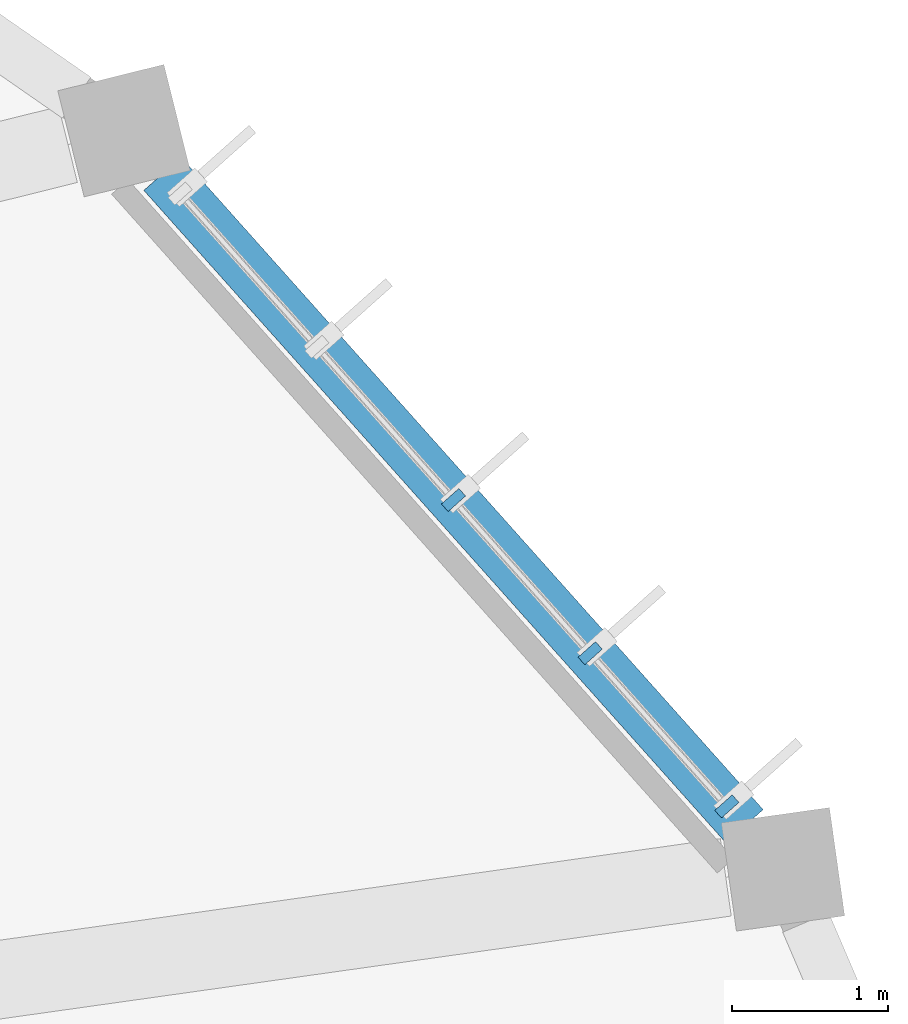
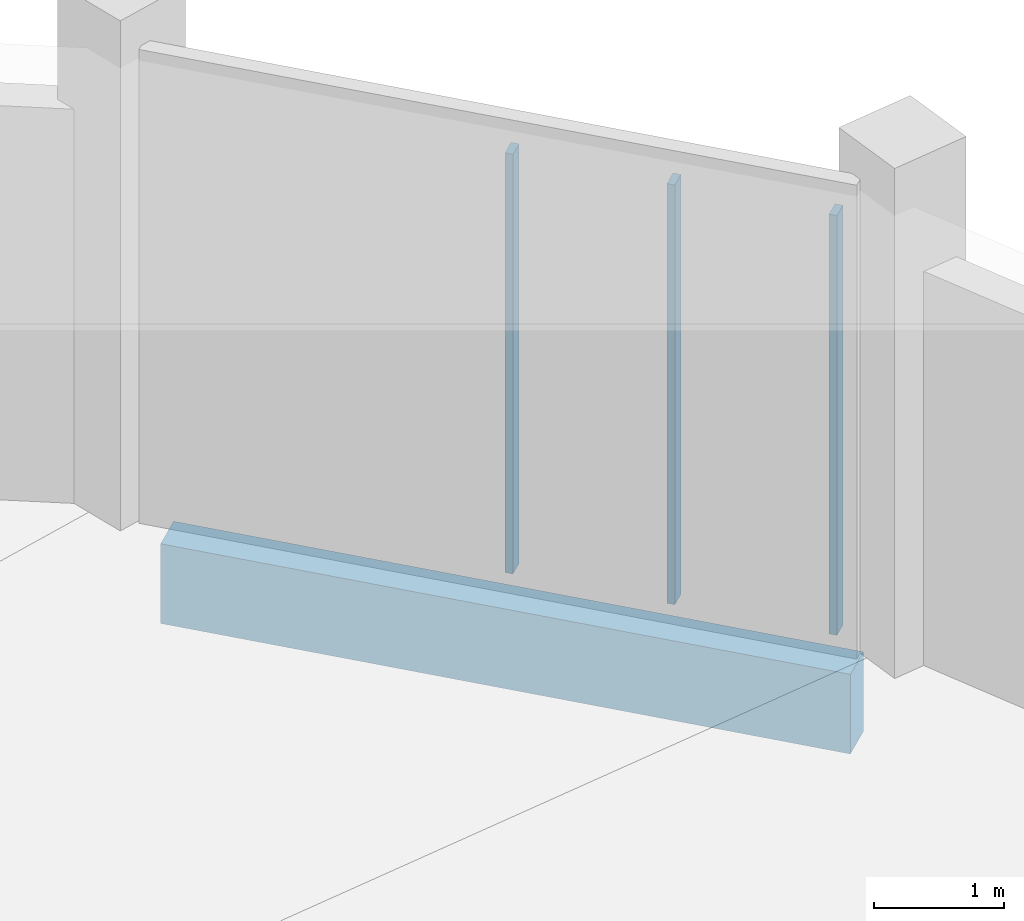
# One storey, part 69 of 179: 3 members, 1 beam, 1 element without a shape of its own.
"""IFC4 building model written with IfcOpenShell, lengths in metres."""

from ifc_helpers import new_model, si_unit, direction, frame, origin, origin_2d, place, context, subcontext, project, spatial, rectangle, extrude, material, layer, layer_set, material_profile, profile_set, type_object, element, aggregate, save


model = new_model("IFC4")

# Units and contexts
model_context = context("Model", 3, precision=1e-05, world=origin(), true_north=direction((0.0, 1.0)))
body_context = subcontext(model_context, "Body", "Model", "MODEL_VIEW")
ifc_project = project(units=[si_unit("LENGTHUNIT", "METRE"), si_unit("AREAUNIT", "SQUARE_METRE"), si_unit("VOLUMEUNIT", "CUBIC_METRE"), si_unit("PLANEANGLEUNIT", "RADIAN"), si_unit("MASSUNIT", "GRAM", prefix="KILO")], contexts=[model_context])

# Site, building, storey
site_placement = place(None, origin())
site = spatial("IfcSite", under=ifc_project, at=site_placement, CompositionType="ELEMENT")
building_placement = place(site_placement, origin())
building = spatial("IfcBuilding", under=site, at=building_placement, Name="Corvandel Quay Wholesale Market", CompositionType="ELEMENT")
storey_placement = place(building_placement, frame((0.0, 0.0, 6.0)))
storey = spatial("IfcBuildingStorey", under=building, at=storey_placement, Name="L01", CompositionType="ELEMENT", Elevation=6.0)

# Curtain wall, members
ifc_material_1 = material(Name="Bronze anodised aluminium and low-E insulated glazing", Category="aluminium")
ifc_layer = layer(ifc_material_1, 0.18603515625)
ifc_layer_set = layer_set([ifc_layer], Name="Bronze anodised aluminium and low-E insulated glazing")
curtain_wall_type = type_object("IfcCurtainWallType", Name="Stick Curtain Wall System CW08 H3720", PredefinedType="NOTDEFINED", material=ifc_layer_set)
curtain_wall_placement = place(storey_placement, origin())
curtain_wall = element("IfcCurtainWall", 1, at=curtain_wall_placement, inside=storey, type_object=curtain_wall_type, Name="Curtain Wall CW-0091", PredefinedType="NOTDEFINED")
ifc_material_2 = material(Name="Anodised aluminium 6063-T6", Category="aluminium")
ifc_material_profile_1 = material_profile(ifc_material_2, rectangle(XDim=0.06494140625, YDim=0.14990234375, at=origin_2d()), Name="ALU-MUL-65x150")
ifc_profile_set_1 = profile_set([ifc_material_profile_1], Name="Anodised aluminium 6063-T6")
member_type = type_object("IfcMemberType", Name="Curtain Wall Mullion ML02 65x150", PredefinedType="MULLION", material=ifc_profile_set_1)
member_1_placement = place(storey_placement, frame((167.488525390625, 123.987060546875, 0.0), z_axis=(0.0, 0.0, 1.0), x_axis=(-0.665621202286, 0.746289766155, 0.0)))
member_1 = element("IfcMember", 2, at=member_1_placement, type_object=member_type, Name="Mullion CW-0091-M00", PredefinedType="MULLION", context=body_context, shape_type="SweptSolid", body=[
    extrude(rectangle(XDim=0.06494140625, YDim=0.14990234375, at=origin_2d()), origin(), (0.0, 0.0, 1.0), 3.949951171875),
])
member_2_placement = place(storey_placement, frame((166.613037109375, 124.968505859375, 0.0), z_axis=(0.0, 0.0, 1.0), x_axis=(-0.665621202286, 0.746289766155, 0.0)))
member_2 = element("IfcMember", 3, at=member_2_placement, type_object=member_type, Name="Mullion CW-0091-M01", PredefinedType="MULLION", context=body_context, shape_type="SweptSolid", body=[
    extrude(rectangle(XDim=0.06494140625, YDim=0.14990234375, at=origin_2d()), origin(), (0.0, 0.0, 1.0), 3.949951171875),
])
member_3_placement = place(storey_placement, frame((165.737548828125, 125.949951171875, 0.0), z_axis=(0.0, 0.0, 1.0), x_axis=(-0.665621202286, 0.746289766155, 0.0)))
member_3 = element("IfcMember", 4, at=member_3_placement, type_object=member_type, Name="Mullion CW-0091-M02", PredefinedType="MULLION", context=body_context, shape_type="SweptSolid", body=[
    extrude(rectangle(XDim=0.06494140625, YDim=0.14990234375, at=origin_2d()), origin(), (0.0, 0.0, 1.0), 3.949951171875),
])
aggregate(curtain_wall, [member_1, member_2, member_3])

# Beam
ifc_material_3 = material(Name="Precast concrete C45/55", Category="concrete")
ifc_material_profile_2 = material_profile(ifc_material_3, rectangle(XDim=0.320068359375, YDim=0.75, at=origin_2d()), Name="PC-SPN-320x750")
ifc_profile_set_2 = profile_set([ifc_material_profile_2], Name="Precast concrete C45/55")
beam_type = type_object("IfcBeamType", Name="Pavilion Precast Spandrel SP02 320x750", PredefinedType="SPANDREL", material=ifc_profile_set_2)
beam_placement = place(storey_placement, frame((167.601806640625, 123.860107421875, -0.655029296875), z_axis=(-0.66568308194, 0.74623457064, 0.0), x_axis=(-0.74623457064, -0.66568308194, 0.0)))
element("IfcBeam", 5, at=beam_placement, inside=storey, type_object=beam_type, Name="Beam BM-0529", PredefinedType="SPANDREL", context=body_context, shape_type="SweptSolid", body=[
    extrude(rectangle(XDim=0.320068359375, YDim=0.75, at=origin_2d()), origin(), (0.0, 0.0, 1.0), 5.60107421875),
])

save(model, "model.ifc")
